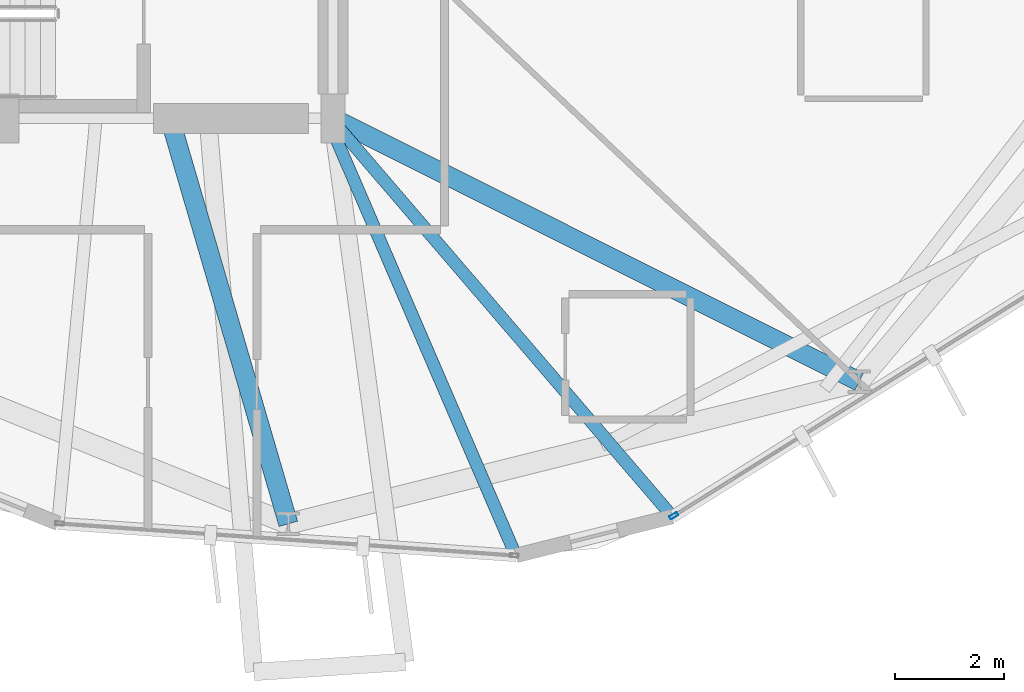
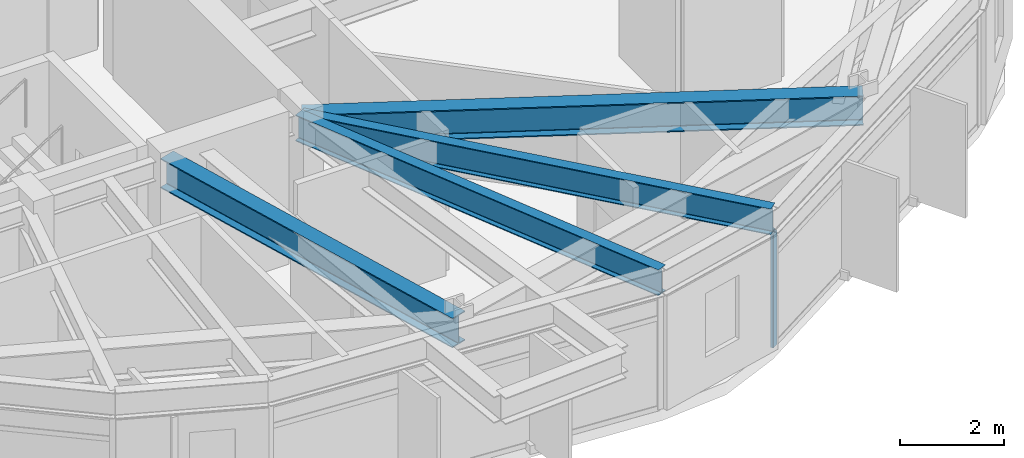
# One storey, part 5 of 22: 4 beams, 1 member, 1 element without a shape of its own.
"""IFC4 building model written with IfcOpenShell, lengths in metres."""

import ifcopenshell
import ifcopenshell.guid

model = None  # the IFC model being written
_history = None  # IfcOwnerHistory: only IFC2X3 demands one
_inside = {}  # id of a spatial element -> (the spatial element, [elements in it])
_under = {}  # id of a project, library or spatial element -> (it, [spatial elements below it])
_declared = {}  # id of a project -> (the project, [libraries it declares])
_typed = {}  # id of a type object -> (the type object, [elements of that type])
_made_of = {}  # id of a material, layer set ... -> (it, [elements and type objects made of it])


def new_model(schema):
    """Start an empty IFC model of exactly this schema.

    Asked for "IFC4X3", IfcOpenShell would pick the latest addendum, in which some entities
    have other attributes; the version numbers below select the first issue.
    IFC2X3 requires an IfcOwnerHistory on every rooted entity: one is made here for all.
    """
    global model, _history
    if schema == "IFC4X3":
        model = ifcopenshell.file(schema_version=(4, 3, 0, 0))
    else:
        model = ifcopenshell.file(schema=schema)
    _inside.clear()
    _under.clear()
    _declared.clear()
    _typed.clear()
    _made_of.clear()
    _history = None
    if model.schema == "IFC2X3":
        org = make("IfcOrganization", Name="unknown")
        user = make(
            "IfcPersonAndOrganization",
            ThePerson=make("IfcPerson", FamilyName="unknown"),
            TheOrganization=org,
        )
        app = make(
            "IfcApplication",
            ApplicationDeveloper=org,
            Version="unknown",
            ApplicationFullName="unknown",
            ApplicationIdentifier="unknown",
        )
        _history = make(
            "IfcOwnerHistory",
            OwningUser=user,
            OwningApplication=app,
            ChangeAction="ADDED",
            CreationDate=0,
        )
    return model


def make(cls, **values):
    """One entity of the class cls with the attributes given. An attribute that is None is left unset."""
    return model.create_entity(
        cls, **{name: value for name, value in values.items() if value is not None}
    )


def rooted(cls, **values):
    """An entity with a GlobalId (a new one), such as an element, a storey or a relation."""
    return make(cls, GlobalId=ifcopenshell.guid.new(), OwnerHistory=_history, **values)


def si_unit(unit_type, name, prefix=None):
    """IfcSIUnit, for example si_unit("LENGTHUNIT", "METRE", prefix="MILLI")."""
    return make("IfcSIUnit", UnitType=unit_type, Prefix=prefix, Name=name)


def assignment(units):
    """IfcUnitAssignment: the units of a project."""
    return None if units is None else make("IfcUnitAssignment", Units=units)


def point(xyz):
    """IfcCartesianPoint."""
    return None if xyz is None else make("IfcCartesianPoint", Coordinates=xyz)


def direction(xyz):
    """IfcDirection."""
    return None if xyz is None else make("IfcDirection", DirectionRatios=xyz)


def frame(location, z_axis=None, x_axis=None):
    """IfcAxis2Placement3D, a coordinate frame: its origin and axes. An axis left out is left unset."""
    return make(
        "IfcAxis2Placement3D",
        Location=point(location),
        Axis=direction(z_axis),
        RefDirection=direction(x_axis),
    )


def frame_2d(location, x_axis=None):
    """IfcAxis2Placement2D, a coordinate frame in the plane: its origin and x axis."""
    return make(
        "IfcAxis2Placement2D", Location=point(location), RefDirection=direction(x_axis)
    )


def origin():
    """The frame at (0, 0, 0) with its axes left unset."""
    return frame((0.0, 0.0, 0.0))


def origin_2d():
    """The frame at (0, 0) in the plane with its x axis left unset."""
    return frame_2d((0.0, 0.0))


def place(relative_to, where):
    """IfcLocalPlacement: puts the frame where relative to a parent placement (None: the world)."""
    return make(
        "IfcLocalPlacement", PlacementRelTo=relative_to, RelativePlacement=where
    )


def context(
    kind, dimensions, precision=None, world=None, true_north=None, identifier=None
):
    """IfcGeometricRepresentationContext, for example the 3D "Model" context."""
    return make(
        "IfcGeometricRepresentationContext",
        ContextIdentifier=identifier,
        ContextType=kind,
        CoordinateSpaceDimension=dimensions,
        Precision=precision,
        WorldCoordinateSystem=world,
        TrueNorth=true_north,
    )


def subcontext(parent, identifier, kind, view, scale=None):
    """IfcGeometricRepresentationSubContext, for example "Body" below "Model"."""
    return make(
        "IfcGeometricRepresentationSubContext",
        ContextIdentifier=identifier,
        ContextType=kind,
        ParentContext=parent,
        TargetScale=scale,
        TargetView=view,
    )


def project(units=None, contexts=None):
    """IfcProject with its units and contexts."""
    return rooted(
        "IfcProject",
        Name="project",
        RepresentationContexts=contexts,
        UnitsInContext=assignment(units),
    )


def spatial(cls, under=None, at=None, **own):
    """A site, building, storey or space (cls), placed at a placement, below another one or the project."""
    s = rooted(cls, ObjectPlacement=at, **own)
    if under is not None:
        _under.setdefault(under.id(), (under, []))[1].append(s)
    return s


def profile(cls, at=None, kind="AREA", **sizes):
    """A parametric profile (cls). Its sizes go by their IFC names, for example OverallWidth=200.0."""
    return make(cls, ProfileType=kind, Position=at, **sizes)


def hollow_rectangle(**sizes):
    """IfcRectangleHollowProfileDef."""
    return profile("IfcRectangleHollowProfileDef", **sizes)


def i_section(**sizes):
    """IfcIShapeProfileDef."""
    return profile("IfcIShapeProfileDef", **sizes)


def extrude(swept, where, along, depth):
    """IfcExtrudedAreaSolid: the profile swept, set in the frame where, extruded along a direction by depth."""
    return make(
        "IfcExtrudedAreaSolid",
        SweptArea=swept,
        Position=where,
        ExtrudedDirection=direction(along),
        Depth=depth,
    )


def shape(context_of_items, identifier, shape_type, items):
    """IfcShapeRepresentation: the items that make up one representation, for example the "Body"."""
    return make(
        "IfcShapeRepresentation",
        ContextOfItems=context_of_items,
        RepresentationIdentifier=identifier,
        RepresentationType=shape_type,
        Items=items,
    )


def material(Name=None, Category=None):
    """IfcMaterial."""
    return make("IfcMaterial", Name=Name, Category=Category)


def layer(
    of_material, thickness, ventilated=None, Name=None, Category=None, Priority=None
):
    """IfcMaterialLayer: one layer of a wall or slab, of a material (None: an air gap)."""
    return make(
        "IfcMaterialLayer",
        Material=of_material,
        LayerThickness=thickness,
        IsVentilated=ventilated,
        Name=Name,
        Category=Category,
        Priority=Priority,
    )


def layer_set(layers, Name=None):
    """IfcMaterialLayerSet."""
    return make("IfcMaterialLayerSet", MaterialLayers=layers, LayerSetName=Name)


def material_profile(
    of_material, cross_section, Name=None, Category=None, Priority=None
):
    """IfcMaterialProfile: a cross section and its material."""
    return make(
        "IfcMaterialProfile",
        Name=Name,
        Material=of_material,
        Profile=cross_section,
        Priority=Priority,
        Category=Category,
    )


def profile_set(profiles, Name=None, composite=None):
    """IfcMaterialProfileSet."""
    return make(
        "IfcMaterialProfileSet",
        Name=Name,
        MaterialProfiles=profiles,
        CompositeProfile=composite,
    )


def made_of(thing, what):
    """Note that an element or type object is made of a material, layer set ...; save() writes the relation."""
    if what is not None:
        _made_of.setdefault(what.id(), (what, []))[1].append(thing)
    return thing


def type_object(cls, material=None, **own):
    """A type object (cls), such as IfcWallType, which elements share."""
    return made_of(rooted(cls, **own), material)


def element(
    cls,
    number,
    at=None,
    inside=None,
    cuts=None,
    type_object=None,
    material=None,
    context=None,
    identifier="Body",
    shape_type=None,
    held_by="IfcProductDefinitionShape",
    body=None,
    shapes=None,
    **own,
):
    """One element of the class cls, such as IfcWall. Its Tag is "e" and its number.

    at: its placement. inside: the storey or other place that contains it. cuts: it is an
    opening in that element (IfcRelVoidsElement). A single representation is given by context,
    identifier, shape_type and body (its items); several are given by shapes. held_by: the class
    of the entity that holds the representations. save() writes the other relations.
    """
    e = rooted(cls, Tag="e%d" % number, ObjectPlacement=at, **own)
    if body is not None:
        shapes = [shape(context, identifier, shape_type, body)]
    if shapes is not None:
        e.Representation = make(held_by, Representations=shapes)
    if inside is not None:
        _inside.setdefault(inside.id(), (inside, []))[1].append(e)
    if cuts is not None:
        rooted(
            "IfcRelVoidsElement", RelatingBuildingElement=cuts, RelatedOpeningElement=e
        )
    if type_object is not None:
        _typed.setdefault(type_object.id(), (type_object, []))[1].append(e)
    return made_of(e, material)


def aggregate(whole, parts):
    """IfcRelAggregates: a whole, such as a stair, and the parts it consists of."""
    return rooted("IfcRelAggregates", RelatingObject=whole, RelatedObjects=parts)


def save(model, path):
    """Write the relations noted so far, then the file.

    IfcRelAggregates (storeys below a building ...), IfcRelContainedInSpatialStructure (elements
    in a storey), IfcRelDefinesByType, IfcRelAssociatesMaterial and IfcRelDeclares: one each for
    every whole, place, type object, material and project.
    """
    for whole, parts in _under.values():
        aggregate(whole, parts)
    for where, things in _inside.values():
        rooted(
            "IfcRelContainedInSpatialStructure",
            RelatedElements=things,
            RelatingStructure=where,
        )
    for kind, things in _typed.values():
        rooted("IfcRelDefinesByType", RelatedObjects=things, RelatingType=kind)
    for what, things in _made_of.values():
        rooted("IfcRelAssociatesMaterial", RelatedObjects=things, RelatingMaterial=what)
    for by, libraries in _declared.values():
        rooted("IfcRelDeclares", RelatingContext=by, RelatedDefinitions=libraries)
    model.write(path)


model = new_model("IFC4")

# Units and contexts
model_context = context("Model", 3, precision=1e-05, world=origin(), true_north=direction((0.0, 1.0)))
body_context = subcontext(model_context, "Body", "Model", "MODEL_VIEW")
ifc_project = project(units=[si_unit("LENGTHUNIT", "METRE"), si_unit("AREAUNIT", "SQUARE_METRE"), si_unit("VOLUMEUNIT", "CUBIC_METRE"), si_unit("PLANEANGLEUNIT", "RADIAN"), si_unit("MASSUNIT", "GRAM", prefix="KILO")], contexts=[model_context])

# Site, building, storey
site_placement = place(None, origin())
site = spatial("IfcSite", under=ifc_project, at=site_placement, CompositionType="ELEMENT")
building_placement = place(site_placement, origin())
building = spatial("IfcBuilding", under=site, at=building_placement, Name="Soratama Intermodal Tower", CompositionType="ELEMENT")
storey_placement = place(building_placement, frame((0.0, 0.0, 157.0)))
storey = spatial("IfcBuildingStorey", under=building, at=storey_placement, Name="L38", CompositionType="ELEMENT", Elevation=157.0)

# Beams
ifc_material_1 = material(Name="Structural steel ASTM A992 Grade 50", Category="steel")
ifc_material_profile_1 = material_profile(ifc_material_1, i_section(OverallWidth=0.35498046875, OverallDepth=0.695068359375, WebThickness=0.015380859375, FlangeThickness=0.02490234375, FilletRadius=0.01611328125, at=origin_2d()), Name="W27X146")
ifc_profile_set_1 = profile_set([ifc_material_profile_1], Name="Structural steel ASTM A992 Grade 50")
beam_type_1 = type_object("IfcBeamType", Name="BM-RING-W27X146", PredefinedType="BEAM", material=ifc_profile_set_1)
beam_1_placement = place(storey_placement, frame((41.60009765625, 15.0, 2.952392578125), z_axis=(0.280473008484, -0.959861912731, 0.0), x_axis=(0.959861912731, 0.280473008484, 0.0)))
element("IfcBeam", 1, at=beam_1_placement, inside=storey, type_object=beam_type_1, Name="BM-L38-RAD-08", PredefinedType="BEAM", context=body_context, shape_type="SweptSolid", body=[
    extrude(i_section(OverallWidth=0.35498046875, OverallDepth=0.695068359375, WebThickness=0.015380859375, FlangeThickness=0.02490234375, FilletRadius=0.01611328125, at=origin_2d()), origin(), (0.0, 0.0, 1.0), 7.768798828125),
])
beam_2_placement = place(storey_placement, frame((44.60009765625, 15.0, 2.952392578125), z_axis=(0.894273669201, -0.447520507434, 0.0), x_axis=(0.447520507434, 0.894273669201, 0.0)))
element("IfcBeam", 2, at=beam_2_placement, inside=storey, type_object=beam_type_1, Name="BM-L38-RAD-09", PredefinedType="BEAM", context=body_context, shape_type="SweptSolid", body=[
    extrude(i_section(OverallWidth=0.35498046875, OverallDepth=0.695068359375, WebThickness=0.015380859375, FlangeThickness=0.02490234375, FilletRadius=0.01611328125, at=origin_2d()), origin(), (0.0, 0.0, 1.0), 10.817626953125),
])
ifc_material_2 = material(Name="Structural steel ASTM A992 Grade 50", Category="steel")
ifc_material_profile_2 = material_profile(ifc_material_2, i_section(OverallWidth=0.22900390625, OverallDepth=0.612060546875, WebThickness=0.011962890625, FlangeThickness=0.01953125, FilletRadius=0.012939453125, at=origin_2d()), Name="W24X84")
ifc_profile_set_2 = profile_set([ifc_material_profile_2], Name="Structural steel ASTM A992 Grade 50")
beam_type_2 = type_object("IfcBeamType", Name="BM-TIE-W24X84", PredefinedType="BEAM", material=ifc_profile_set_2)
beam_3_placement = place(storey_placement, frame((44.510986328125, 14.962890625, 2.993896484375), z_axis=(0.396017488129, -0.918242968444, 0.0), x_axis=(0.918242968444, 0.396017488129, 0.0)))
element("IfcBeam", 3, at=beam_3_placement, inside=storey, type_object=beam_type_2, Name="BM-L38-TIE1-07", PredefinedType="BEAM", context=body_context, shape_type="SweptSolid", body=[
    extrude(i_section(OverallWidth=0.22900390625, OverallDepth=0.612060546875, WebThickness=0.011962890625, FlangeThickness=0.01953125, FilletRadius=0.012939453125, at=origin_2d()), origin(), (0.0, 0.0, 1.0), 8.716552734375),
])
beam_4_placement = place(storey_placement, frame((44.5830078125, 14.969970703125, 2.993896484375), z_axis=(0.651215923458, -0.758892496362, 0.0), x_axis=(0.758892496362, 0.651215923458, 0.0)))
element("IfcBeam", 4, at=beam_4_placement, inside=storey, type_object=beam_type_2, Name="BM-L38-TIE0-08", PredefinedType="BEAM", context=body_context, shape_type="SweptSolid", body=[
    extrude(i_section(OverallWidth=0.22900390625, OverallDepth=0.612060546875, WebThickness=0.011962890625, FlangeThickness=0.01953125, FilletRadius=0.012939453125, at=origin_2d()), origin(), (0.0, 0.0, 1.0), 9.611328125),
])

# Curtain wall, member
ifc_material_3 = material(Name="Double-glazed aluminium curtain wall", Category="aluminium")
ifc_layer = layer(ifc_material_3, 0.159912109375)
ifc_layer_set = layer_set([ifc_layer], Name="Double-glazed aluminium curtain wall")
curtain_wall_type = type_object("IfcCurtainWallType", Name="CW-SYS-4", PredefinedType="NOTDEFINED", material=ifc_layer_set)
curtain_wall_placement = place(storey_placement, origin())
curtain_wall = element("IfcCurtainWall", 5, at=curtain_wall_placement, inside=storey, type_object=curtain_wall_type, Name="L38 Faceted Curtain Wall F08", PredefinedType="NOTDEFINED")
ifc_material_4 = material(Name="Anodised aluminium AA 6063-T6", Category="aluminium")
ifc_material_profile_3 = material_profile(ifc_material_4, hollow_rectangle(XDim=0.070068359375, YDim=0.159912109375, WallThickness=0.0048828125, InnerFilletRadius=0.0048828125, OuterFilletRadius=0.010009765625, at=origin_2d()), Name="CWM160X70X5")
ifc_profile_set_3 = profile_set([ifc_material_profile_3], Name="Anodised aluminium AA 6063-T6")
member_type = type_object("IfcMemberType", Name="MT-CWM-4", PredefinedType="MULLION", material=ifc_profile_set_3)
member_placement = place(storey_placement, frame((50.866943359375, 7.69189453125, 0.0), z_axis=(0.0, 0.0, 1.0), x_axis=(-0.529630411318, 0.848228523104, 0.0)))
member = element("IfcMember", 6, at=member_placement, type_object=member_type, Name="CW-4 mullion 1", PredefinedType="MULLION", context=body_context, shape_type="SweptSolid", body=[
    extrude(hollow_rectangle(XDim=0.070068359375, YDim=0.159912109375, WallThickness=0.0048828125, InnerFilletRadius=0.0048828125, OuterFilletRadius=0.010009765625, at=origin_2d()), origin(), (0.0, 0.0, 1.0), 2.678955078125),
])
aggregate(curtain_wall, [member])

save(model, "model.ifc")
